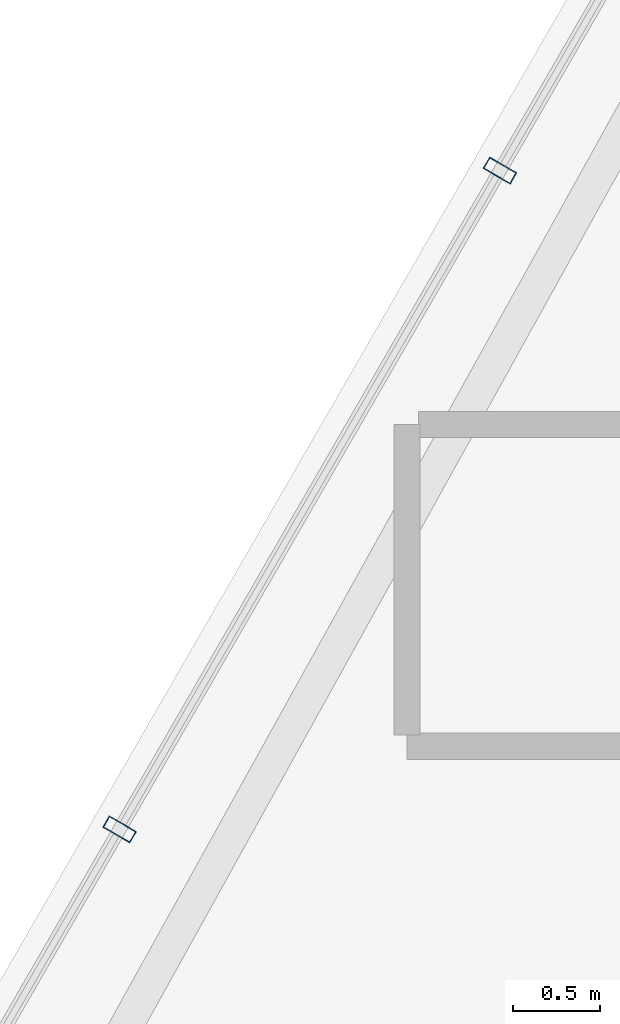
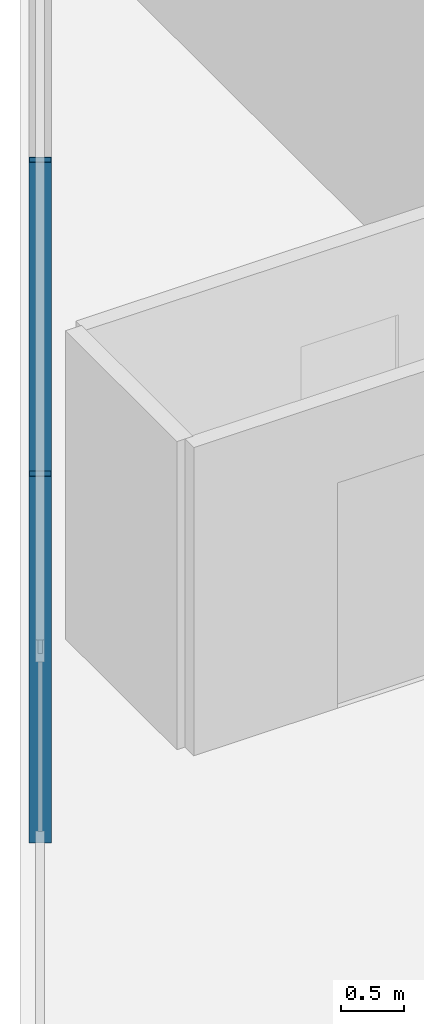
# One storey, part 4 of 29: 2 members, 1 element without a shape of its own.
"""IFC4 building model written with IfcOpenShell, lengths in metres."""

from ifc_helpers import new_model, si_unit, direction, frame, origin, origin_2d, place, context, subcontext, project, spatial, hollow_rectangle, extrude, material, layer, layer_set, material_profile, profile_set, type_object, element, aggregate, save


model = new_model("IFC4")

# Units and contexts
model_context = context("Model", 3, precision=1e-05, world=origin(), true_north=direction((0.0, 1.0)))
body_context = subcontext(model_context, "Body", "Model", "MODEL_VIEW")
ifc_project = project(units=[si_unit("LENGTHUNIT", "METRE"), si_unit("AREAUNIT", "SQUARE_METRE"), si_unit("VOLUMEUNIT", "CUBIC_METRE"), si_unit("PLANEANGLEUNIT", "RADIAN"), si_unit("MASSUNIT", "GRAM", prefix="KILO")], contexts=[model_context])

# Site, building, storey
site_placement = place(None, origin())
site = spatial("IfcSite", under=ifc_project, at=site_placement, CompositionType="ELEMENT")
building_placement = place(site_placement, origin())
building = spatial("IfcBuilding", under=site, at=building_placement, Name="Ndaravel Arena Tower", CompositionType="ELEMENT")
storey_placement = place(building_placement, frame((0.0, 0.0, 248.39990234375)))
storey = spatial("IfcBuildingStorey", under=building, at=storey_placement, Name="L60", CompositionType="ELEMENT", Elevation=248.39990234375)

# Curtain wall, members
ifc_material_1 = material(Name="Aluminium", Category="aluminium")
ifc_layer = layer(ifc_material_1, 0.179931640625)
ifc_layer_set = layer_set([ifc_layer], Name="Aluminium")
curtain_wall_type = type_object("IfcCurtainWallType", Name="CW-SYS-03", PredefinedType="NOTDEFINED", material=ifc_layer_set)
curtain_wall_placement = place(storey_placement, origin())
curtain_wall = element("IfcCurtainWall", 1, at=curtain_wall_placement, inside=storey, type_object=curtain_wall_type, Name="L60 Faceted Crystal Curtain Wall CW-L60-E05", PredefinedType="NOTDEFINED")
ifc_material_2 = material(Name="Aluminium", Category="aluminium")
ifc_material_profile = material_profile(ifc_material_2, hollow_rectangle(XDim=0.074951171875, YDim=0.179931640625, WallThickness=0.00390625, at=origin_2d()), Name="CW MULLION 75x180x4")
ifc_profile_set = profile_set([ifc_material_profile], Name="Aluminium")
member_type = type_object("IfcMemberType", Name="MEM-CW-MUL180", PredefinedType="MULLION", material=ifc_profile_set)
member_1_placement = place(storey_placement, frame((23.38037109375, 18.46142578125, 0.0), z_axis=(0.0, 0.0, 1.0), x_axis=(-0.5, -0.866025403784, 0.0)))
member_1 = element("IfcMember", 2, at=member_1_placement, type_object=member_type, Name="CW-L60-E05 Mullion 07", PredefinedType="MULLION", context=body_context, shape_type="SweptSolid", body=[
    extrude(hollow_rectangle(XDim=0.074951171875, YDim=0.179931640625, WallThickness=0.00390625, at=origin_2d()), origin(), (0.0, 0.0, 1.0), 3.580078125),
])
member_2_placement = place(storey_placement, frame((21.1923828125, 14.671630859375, 0.0), z_axis=(0.0, 0.0, 1.0), x_axis=(-0.5, -0.866025403784, 0.0)))
member_2 = element("IfcMember", 3, at=member_2_placement, type_object=member_type, Name="CW-L60-E05 Mullion 08", PredefinedType="MULLION", context=body_context, shape_type="SweptSolid", body=[
    extrude(hollow_rectangle(XDim=0.074951171875, YDim=0.179931640625, WallThickness=0.00390625, at=origin_2d()), origin(), (0.0, 0.0, 1.0), 3.580078125),
])
aggregate(curtain_wall, [member_1, member_2])

save(model, "model.ifc")
